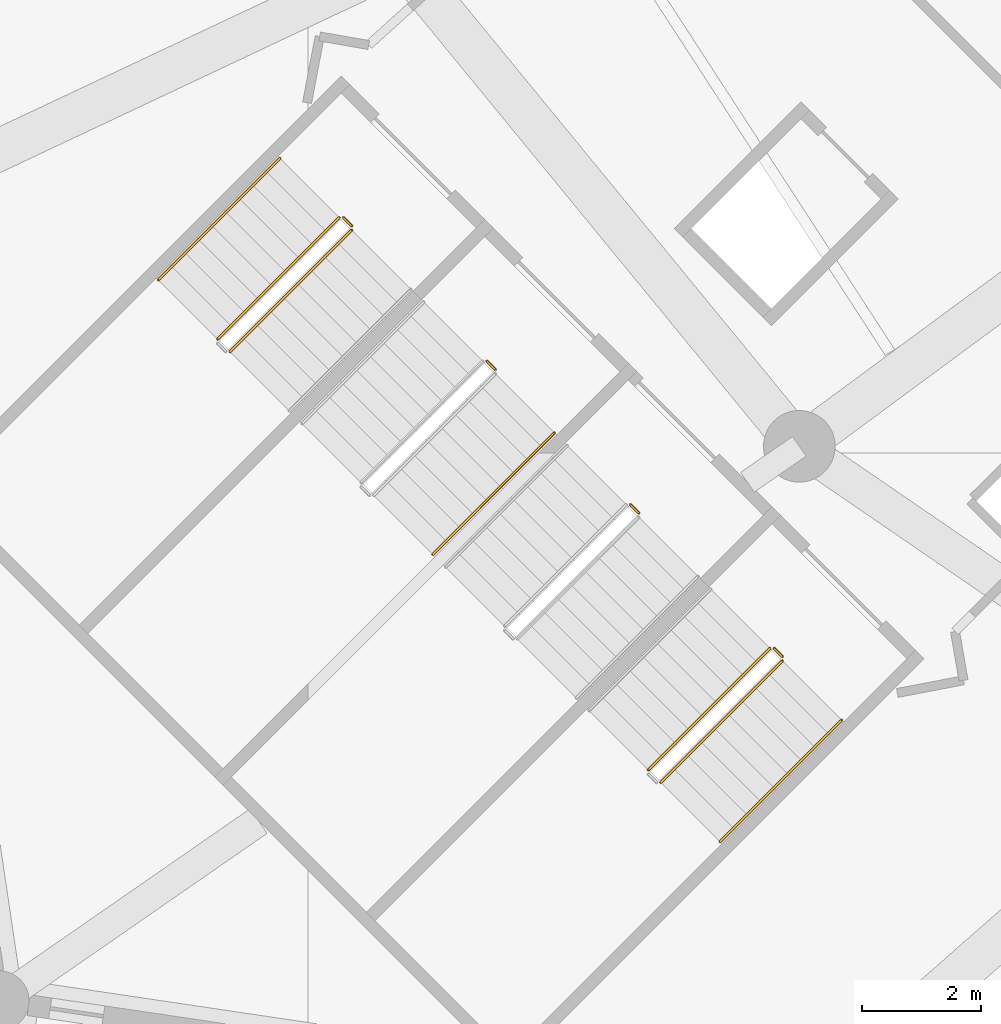
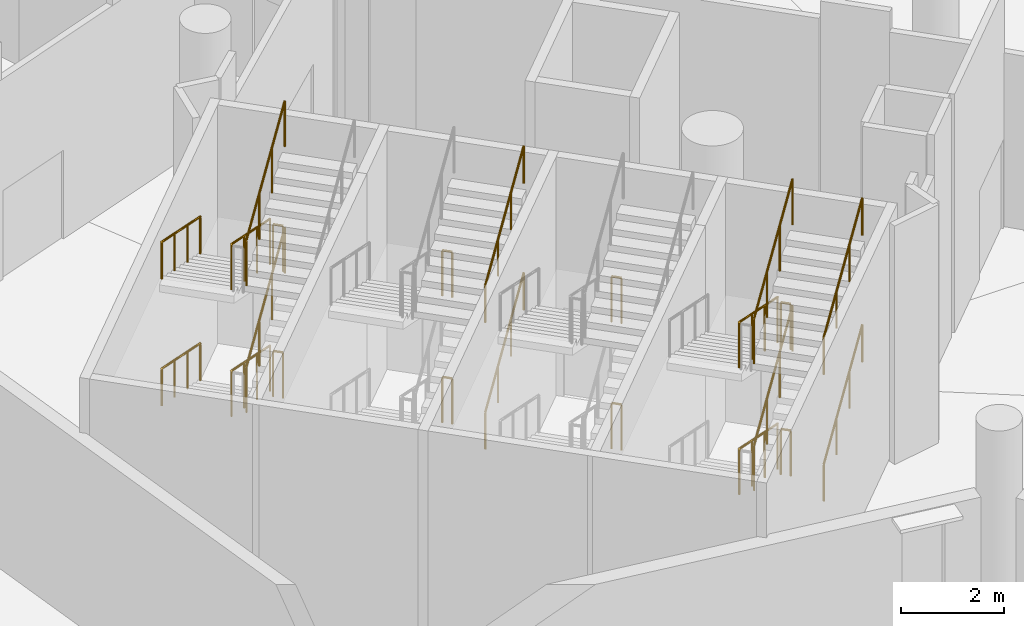
# One storey, part 203 of 249: 22 railings.
"""IFC4 building model written with IfcOpenShell, lengths in metres."""

from ifc_helpers import new_model, si_unit, direction, frame, origin, origin_2d, place, context, subcontext, project, spatial, circle, extrude, material, type_object, element, save


model = new_model("IFC4")

# Units and contexts
model_context = context("Model", 3, precision=1e-05, world=origin(), true_north=direction((0.0, 1.0)))
body_context = subcontext(model_context, "Body", "Model", "MODEL_VIEW")
ifc_project = project(units=[si_unit("LENGTHUNIT", "METRE"), si_unit("AREAUNIT", "SQUARE_METRE"), si_unit("VOLUMEUNIT", "CUBIC_METRE"), si_unit("PLANEANGLEUNIT", "RADIAN"), si_unit("MASSUNIT", "GRAM", prefix="KILO")], contexts=[model_context])

# Site, building, storey
site_placement = place(None, origin())
site = spatial("IfcSite", under=ifc_project, at=site_placement, CompositionType="ELEMENT")
building_placement = place(site_placement, origin())
building = spatial("IfcBuilding", under=site, at=building_placement, Name="Meseta Stadium", CompositionType="ELEMENT")
storey_placement = place(building_placement, frame((0.0, 0.0, 12.0)))
storey = spatial("IfcBuildingStorey", under=building, at=storey_placement, Name="L02", CompositionType="ELEMENT", Elevation=12.0)

# Railings
ifc_material_1 = material(Name="Steel S355", Category="steel")
railing_type_1 = type_object("IfcRailingType", Name="Stair guard 1100", PredefinedType="GUARDRAIL", material=ifc_material_1)
railing_1_placement = place(storey_placement, frame((-79.4814453125, -76.056884765625, 0.14990234375)))
element("IfcRailing", 1, at=railing_1_placement, inside=storey, type_object=railing_type_1, Name="ST81 L02 guard 1", PredefinedType="GUARDRAIL", context=body_context, shape_type="SweptSolid", body=[
    extrude(circle(Radius=0.02392578125, at=origin_2d()), frame((0.0, 0.0, 1.076171875), z_axis=(-0.640287970486, -0.640211215754, 0.424453665402), x_axis=(0.707064395047, -0.707149164786, 0.0)), (0.0, 0.0, 1.0), 3.180908203125),
    extrude(circle(Radius=0.02099609375, at=origin_2d()), origin(), (0.0, 0.0, 1.0), 1.052001953125),
    extrude(circle(Radius=0.02099609375, at=origin_2d()), frame((-0.678955078125, -0.6787109375, 0.449951171875)), (0.0, 0.0, 1.0), 1.052001953125),
    extrude(circle(Radius=0.02099609375, at=origin_2d()), frame((-1.357666015625, -1.357666015625, 0.900146484375)), (0.0, 0.0, 1.0), 1.052001953125),
    extrude(circle(Radius=0.02099609375, at=origin_2d()), frame((-2.03662109375, -2.036376953125, 1.35009765625)), (0.0, 0.0, 1.0), 1.052001953125),
])
railing_2_placement = place(storey_placement, frame((-81.305908203125, -78.305419921875, 1.64990234375)))
element("IfcRailing", 2, at=railing_2_placement, inside=storey, type_object=railing_type_1, Name="ST81 L02 guard 3", PredefinedType="GUARDRAIL", context=body_context, shape_type="SweptSolid", body=[
    extrude(circle(Radius=0.02392578125, at=origin_2d()), frame((0.0, 0.0, 1.076171875), z_axis=(0.640287970486, 0.640211215754, 0.424453665402), x_axis=(-0.707064395047, 0.707149164786, 0.0)), (0.0, 0.0, 1.0), 3.180908203125),
    extrude(circle(Radius=0.02099609375, at=origin_2d()), origin(), (0.0, 0.0, 1.0), 1.052001953125),
    extrude(circle(Radius=0.02099609375, at=origin_2d()), frame((0.678955078125, 0.6787109375, 0.449951171875)), (0.0, 0.0, 1.0), 1.052001953125),
    extrude(circle(Radius=0.02099609375, at=origin_2d()), frame((1.357666015625, 1.357666015625, 0.900146484375)), (0.0, 0.0, 1.0), 1.052001953125),
    extrude(circle(Radius=0.02099609375, at=origin_2d()), frame((2.03662109375, 2.036376953125, 1.35009765625)), (0.0, 0.0, 1.0), 1.052001953125),
])
railing_3_placement = place(storey_placement, frame((-79.410888671875, -76.056884765625, 3.0)))
element("IfcRailing", 3, at=railing_3_placement, inside=storey, type_object=railing_type_1, Name="ST81 L02 guard 4", PredefinedType="GUARDRAIL", context=body_context, shape_type="SweptSolid", body=[
    extrude(circle(Radius=0.02392578125, at=origin_2d()), frame((0.0, 0.0, 1.076171875), z_axis=(0.707716618519, -0.706496417452, 0.0), x_axis=(0.706496417452, 0.707716618519, 0.0)), (0.0, 0.0, 1.0), 0.2001953125),
    extrude(circle(Radius=0.02099609375, at=origin_2d()), origin(), (0.0, 0.0, 1.0), 1.052001953125),
    extrude(circle(Radius=0.02099609375, at=origin_2d()), frame((0.1416015625, -0.141357421875, 0.0)), (0.0, 0.0, 1.0), 1.052001953125),
])
railing_4_placement = place(storey_placement, frame((-79.4814453125, -76.056884765625, 3.14990234375)))
element("IfcRailing", 4, at=railing_4_placement, inside=storey, type_object=railing_type_1, Name="ST81 L02 guard 5", PredefinedType="GUARDRAIL", context=body_context, shape_type="SweptSolid", body=[
    extrude(circle(Radius=0.02392578125, at=origin_2d()), frame((0.0, 0.0, 1.076171875), z_axis=(-0.640287970486, -0.640211215754, 0.424453665402), x_axis=(0.707064395047, -0.707149164786, 0.0)), (0.0, 0.0, 1.0), 3.180908203125),
    extrude(circle(Radius=0.02099609375, at=origin_2d()), origin(), (0.0, 0.0, 1.0), 1.052001953125),
    extrude(circle(Radius=0.02099609375, at=origin_2d()), frame((-0.678955078125, -0.6787109375, 0.449951171875)), (0.0, 0.0, 1.0), 1.052001953125),
    extrude(circle(Radius=0.02099609375, at=origin_2d()), frame((-1.357666015625, -1.357666015625, 0.900146484375)), (0.0, 0.0, 1.0), 1.052001953125),
    extrude(circle(Radius=0.02099609375, at=origin_2d()), frame((-2.03662109375, -2.036376953125, 1.35009765625)), (0.0, 0.0, 1.0), 1.052001953125),
])
railing_5_placement = place(storey_placement, frame((-81.305908203125, -78.305419921875, 4.64990234375)))
element("IfcRailing", 5, at=railing_5_placement, inside=storey, type_object=railing_type_1, Name="ST81 L02 guard 7", PredefinedType="GUARDRAIL", context=body_context, shape_type="SweptSolid", body=[
    extrude(circle(Radius=0.02392578125, at=origin_2d()), frame((0.0, 0.0, 1.076171875), z_axis=(0.640287970486, 0.640211215754, 0.424453665402), x_axis=(-0.707064395047, 0.707149164786, 0.0)), (0.0, 0.0, 1.0), 3.180908203125),
    extrude(circle(Radius=0.02099609375, at=origin_2d()), origin(), (0.0, 0.0, 1.0), 1.052001953125),
    extrude(circle(Radius=0.02099609375, at=origin_2d()), frame((0.678955078125, 0.6787109375, 0.449951171875)), (0.0, 0.0, 1.0), 1.052001953125),
    extrude(circle(Radius=0.02099609375, at=origin_2d()), frame((1.357666015625, 1.357666015625, 0.900146484375)), (0.0, 0.0, 1.0), 1.052001953125),
    extrude(circle(Radius=0.02099609375, at=origin_2d()), frame((2.03662109375, 2.036376953125, 1.35009765625)), (0.0, 0.0, 1.0), 1.052001953125),
])
railing_6_placement = place(storey_placement, frame((-79.410888671875, -76.056884765625, 0.0)))
element("IfcRailing", 6, at=railing_6_placement, inside=storey, type_object=railing_type_1, Name="ST81 L02 guard 8", PredefinedType="GUARDRAIL", context=body_context, shape_type="SweptSolid", body=[
    extrude(circle(Radius=0.02392578125, at=origin_2d()), frame((0.0, 0.0, 1.076171875), z_axis=(0.707716618519, -0.706496417452, 0.0), x_axis=(0.706496417452, 0.707716618519, 0.0)), (0.0, 0.0, 1.0), 0.2001953125),
    extrude(circle(Radius=0.02099609375, at=origin_2d()), origin(), (0.0, 0.0, 1.0), 1.052001953125),
    extrude(circle(Radius=0.02099609375, at=origin_2d()), frame((0.1416015625, -0.141357421875, 0.0)), (0.0, 0.0, 1.0), 1.052001953125),
])
for number, where, name in (
    (7, (-77.006591796875, -78.4609375, 3.0), "ST82 L02 guard 4"),
    (8, (-77.006591796875, -78.4609375, 0.0), "ST82 L02 guard 8"),
):
    element("IfcRailing", number, at=place(storey_placement, frame(where)), inside=storey, type_object=railing_type_1, Name=name, PredefinedType="GUARDRAIL", context=body_context, shape_type="SweptSolid", body=[
        extrude(circle(Radius=0.02392578125, at=origin_2d()), frame((0.0, 0.0, 1.076171875), z_axis=(0.706496417452, -0.707716618519, 0.0), x_axis=(0.707716618519, 0.706496417452, 0.0)), (0.0, 0.0, 1.0), 0.2001953125),
        extrude(circle(Radius=0.02099609375, at=origin_2d()), origin(), (0.0, 0.0, 1.0), 1.052001953125),
        extrude(circle(Radius=0.02099609375, at=origin_2d()), frame((0.141357421875, -0.1416015625, 0.0)), (0.0, 0.0, 1.0), 1.052001953125),
    ])
for number, where, name in (
    (9, (-74.6025390625, -80.865234375, 3.0), "ST83 L02 guard 4"),
    (10, (-74.6025390625, -80.865234375, 0.0), "ST83 L02 guard 8"),
):
    element("IfcRailing", number, at=place(storey_placement, frame(where)), inside=storey, type_object=railing_type_1, Name=name, PredefinedType="GUARDRAIL", context=body_context, shape_type="SweptSolid", body=[
        extrude(circle(Radius=0.02392578125, at=origin_2d()), frame((0.0, 0.0, 1.076171875), z_axis=(0.707716618519, -0.706496417452, 0.0), x_axis=(0.706496417452, 0.707716618519, 0.0)), (0.0, 0.0, 1.0), 0.2001953125),
        extrude(circle(Radius=0.02099609375, at=origin_2d()), origin(), (0.0, 0.0, 1.0), 1.052001953125),
        extrude(circle(Radius=0.02099609375, at=origin_2d()), frame((0.1416015625, -0.141357421875, 0.0)), (0.0, 0.0, 1.0), 1.052001953125),
    ])
railing_7_placement = place(storey_placement, frame((-72.26904296875, -83.269287109375, 0.14990234375)))
element("IfcRailing", 11, at=railing_7_placement, inside=storey, type_object=railing_type_1, Name="ST84 L02 guard 1", PredefinedType="GUARDRAIL", context=body_context, shape_type="SweptSolid", body=[
    extrude(circle(Radius=0.02392578125, at=origin_2d()), frame((0.0, 0.0, 1.076171875), z_axis=(-0.640211215754, -0.640287970486, 0.424453665402), x_axis=(0.707149164786, -0.707064395047, 0.0)), (0.0, 0.0, 1.0), 3.180908203125),
    extrude(circle(Radius=0.02099609375, at=origin_2d()), origin(), (0.0, 0.0, 1.0), 1.052001953125),
    extrude(circle(Radius=0.02099609375, at=origin_2d()), frame((-0.6787109375, -0.678955078125, 0.449951171875)), (0.0, 0.0, 1.0), 1.052001953125),
    extrude(circle(Radius=0.02099609375, at=origin_2d()), frame((-1.357666015625, -1.357666015625, 0.900146484375)), (0.0, 0.0, 1.0), 1.052001953125),
    extrude(circle(Radius=0.02099609375, at=origin_2d()), frame((-2.036376953125, -2.03662109375, 1.35009765625)), (0.0, 0.0, 1.0), 1.052001953125),
])
railing_8_placement = place(storey_placement, frame((-74.09326171875, -85.51806640625, 1.64990234375)))
element("IfcRailing", 12, at=railing_8_placement, inside=storey, type_object=railing_type_1, Name="ST84 L02 guard 3", PredefinedType="GUARDRAIL", context=body_context, shape_type="SweptSolid", body=[
    extrude(circle(Radius=0.02392578125, at=origin_2d()), frame((0.0, 0.0, 1.076171875), z_axis=(0.640211215754, 0.640287970486, 0.424453665402), x_axis=(-0.707149164786, 0.707064395047, 0.0)), (0.0, 0.0, 1.0), 3.180908203125),
    extrude(circle(Radius=0.02099609375, at=origin_2d()), origin(), (0.0, 0.0, 1.0), 1.052001953125),
    extrude(circle(Radius=0.02099609375, at=origin_2d()), frame((0.6787109375, 0.678955078125, 0.449951171875)), (0.0, 0.0, 1.0), 1.052001953125),
    extrude(circle(Radius=0.02099609375, at=origin_2d()), frame((1.357666015625, 1.357666015625, 0.900146484375)), (0.0, 0.0, 1.0), 1.052001953125),
    extrude(circle(Radius=0.02099609375, at=origin_2d()), frame((2.036376953125, 2.03662109375, 1.35009765625)), (0.0, 0.0, 1.0), 1.052001953125),
])
railing_9_placement = place(storey_placement, frame((-72.1982421875, -83.269287109375, 3.0)))
element("IfcRailing", 13, at=railing_9_placement, inside=storey, type_object=railing_type_1, Name="ST84 L02 guard 4", PredefinedType="GUARDRAIL", context=body_context, shape_type="SweptSolid", body=[
    extrude(circle(Radius=0.02392578125, at=origin_2d()), frame((0.0, 0.0, 1.076171875), z_axis=(0.706496417452, -0.707716618519, 0.0), x_axis=(0.707716618519, 0.706496417452, 0.0)), (0.0, 0.0, 1.0), 0.2001953125),
    extrude(circle(Radius=0.02099609375, at=origin_2d()), origin(), (0.0, 0.0, 1.0), 1.052001953125),
    extrude(circle(Radius=0.02099609375, at=origin_2d()), frame((0.141357421875, -0.1416015625, 0.0)), (0.0, 0.0, 1.0), 1.052001953125),
])
railing_10_placement = place(storey_placement, frame((-72.26904296875, -83.269287109375, 3.14990234375)))
element("IfcRailing", 14, at=railing_10_placement, inside=storey, type_object=railing_type_1, Name="ST84 L02 guard 5", PredefinedType="GUARDRAIL", context=body_context, shape_type="SweptSolid", body=[
    extrude(circle(Radius=0.02392578125, at=origin_2d()), frame((0.0, 0.0, 1.076171875), z_axis=(-0.640211215754, -0.640287970486, 0.424453665402), x_axis=(0.707149164786, -0.707064395047, 0.0)), (0.0, 0.0, 1.0), 3.180908203125),
    extrude(circle(Radius=0.02099609375, at=origin_2d()), origin(), (0.0, 0.0, 1.0), 1.052001953125),
    extrude(circle(Radius=0.02099609375, at=origin_2d()), frame((-0.6787109375, -0.678955078125, 0.449951171875)), (0.0, 0.0, 1.0), 1.052001953125),
    extrude(circle(Radius=0.02099609375, at=origin_2d()), frame((-1.357666015625, -1.357666015625, 0.900146484375)), (0.0, 0.0, 1.0), 1.052001953125),
    extrude(circle(Radius=0.02099609375, at=origin_2d()), frame((-2.036376953125, -2.03662109375, 1.35009765625)), (0.0, 0.0, 1.0), 1.052001953125),
])
railing_11_placement = place(storey_placement, frame((-74.09326171875, -85.51806640625, 4.64990234375)))
element("IfcRailing", 15, at=railing_11_placement, inside=storey, type_object=railing_type_1, Name="ST84 L02 guard 7", PredefinedType="GUARDRAIL", context=body_context, shape_type="SweptSolid", body=[
    extrude(circle(Radius=0.02392578125, at=origin_2d()), frame((0.0, 0.0, 1.076171875), z_axis=(0.640211215754, 0.640287970486, 0.424453665402), x_axis=(-0.707149164786, 0.707064395047, 0.0)), (0.0, 0.0, 1.0), 3.180908203125),
    extrude(circle(Radius=0.02099609375, at=origin_2d()), origin(), (0.0, 0.0, 1.0), 1.052001953125),
    extrude(circle(Radius=0.02099609375, at=origin_2d()), frame((0.6787109375, 0.678955078125, 0.449951171875)), (0.0, 0.0, 1.0), 1.052001953125),
    extrude(circle(Radius=0.02099609375, at=origin_2d()), frame((1.357666015625, 1.357666015625, 0.900146484375)), (0.0, 0.0, 1.0), 1.052001953125),
    extrude(circle(Radius=0.02099609375, at=origin_2d()), frame((2.036376953125, 2.03662109375, 1.35009765625)), (0.0, 0.0, 1.0), 1.052001953125),
])
railing_12_placement = place(storey_placement, frame((-72.1982421875, -83.269287109375, 0.0)))
element("IfcRailing", 16, at=railing_12_placement, inside=storey, type_object=railing_type_1, Name="ST84 L02 guard 8", PredefinedType="GUARDRAIL", context=body_context, shape_type="SweptSolid", body=[
    extrude(circle(Radius=0.02392578125, at=origin_2d()), frame((0.0, 0.0, 1.076171875), z_axis=(0.706496417452, -0.707716618519, 0.0), x_axis=(0.707716618519, 0.706496417452, 0.0)), (0.0, 0.0, 1.0), 0.2001953125),
    extrude(circle(Radius=0.02099609375, at=origin_2d()), origin(), (0.0, 0.0, 1.0), 1.052001953125),
    extrude(circle(Radius=0.02099609375, at=origin_2d()), frame((0.141357421875, -0.1416015625, 0.0)), (0.0, 0.0, 1.0), 1.052001953125),
])
ifc_material_2 = material(Name="Steel S355", Category="steel")
railing_type_2 = type_object("IfcRailingType", Name="Stair handrail 900", PredefinedType="HANDRAIL", material=ifc_material_2)
for number, where, name in (
    (17, (-80.471435546875, -75.06689453125, 0.14990234375), "ST81 L02 handrail 1"),
    (18, (-80.471435546875, -75.06689453125, 3.14990234375), "ST81 L02 handrail 3"),
):
    element("IfcRailing", number, at=place(storey_placement, frame(where)), inside=storey, type_object=railing_type_2, Name=name, PredefinedType="HANDRAIL", context=body_context, shape_type="SweptSolid", body=[
        extrude(circle(Radius=0.02392578125, at=origin_2d()), frame((0.0, 0.0, 0.8759765625), z_axis=(-0.640211215754, -0.640287970486, 0.424453665402), x_axis=(0.707149164786, -0.707064395047, 0.0)), (0.0, 0.0, 1.0), 3.180908203125),
        extrude(circle(Radius=0.02099609375, at=origin_2d()), origin(), (0.0, 0.0, 1.0), 0.851806640625),
        extrude(circle(Radius=0.02099609375, at=origin_2d()), frame((-0.6787109375, -0.678955078125, 0.449951171875)), (0.0, 0.0, 1.0), 0.851806640625),
        extrude(circle(Radius=0.02099609375, at=origin_2d()), frame((-1.357666015625, -1.357666015625, 0.900146484375)), (0.0, 0.0, 1.0), 0.851806640625),
        extrude(circle(Radius=0.02099609375, at=origin_2d()), frame((-2.036376953125, -2.03662109375, 1.35009765625)), (0.0, 0.0, 1.0), 0.851806640625),
    ])
for number, where, name in (
    (19, (-77.91162109375, -81.69970703125, 1.64990234375), "ST82 L02 handrail 2"),
    (20, (-77.91162109375, -81.69970703125, 4.64990234375), "ST82 L02 handrail 4"),
):
    element("IfcRailing", number, at=place(storey_placement, frame(where)), inside=storey, type_object=railing_type_2, Name=name, PredefinedType="HANDRAIL", context=body_context, shape_type="SweptSolid", body=[
        extrude(circle(Radius=0.02392578125, at=origin_2d()), frame((0.0, 0.0, 0.8759765625), z_axis=(0.640211215754, 0.640287970486, 0.424453665402), x_axis=(-0.707149164786, 0.707064395047, 0.0)), (0.0, 0.0, 1.0), 3.180908203125),
        extrude(circle(Radius=0.02099609375, at=origin_2d()), origin(), (0.0, 0.0, 1.0), 0.851806640625),
        extrude(circle(Radius=0.02099609375, at=origin_2d()), frame((0.6787109375, 0.678955078125, 0.449951171875)), (0.0, 0.0, 1.0), 0.851806640625),
        extrude(circle(Radius=0.02099609375, at=origin_2d()), frame((1.357666015625, 1.357666015625, 0.900146484375)), (0.0, 0.0, 1.0), 0.851806640625),
        extrude(circle(Radius=0.02099609375, at=origin_2d()), frame((2.036376953125, 2.03662109375, 1.35009765625)), (0.0, 0.0, 1.0), 0.851806640625),
    ])
for number, where, name in (
    (21, (-73.103515625, -86.5078125, 1.64990234375), "ST84 L02 handrail 2"),
    (22, (-73.103515625, -86.5078125, 4.64990234375), "ST84 L02 handrail 4"),
):
    element("IfcRailing", number, at=place(storey_placement, frame(where)), inside=storey, type_object=railing_type_2, Name=name, PredefinedType="HANDRAIL", context=body_context, shape_type="SweptSolid", body=[
        extrude(circle(Radius=0.02392578125, at=origin_2d()), frame((0.0, 0.0, 0.8759765625), z_axis=(0.640287970486, 0.640211215754, 0.424453665402), x_axis=(-0.707064395047, 0.707149164786, 0.0)), (0.0, 0.0, 1.0), 3.180908203125),
        extrude(circle(Radius=0.02099609375, at=origin_2d()), origin(), (0.0, 0.0, 1.0), 0.851806640625),
        extrude(circle(Radius=0.02099609375, at=origin_2d()), frame((0.678955078125, 0.6787109375, 0.449951171875)), (0.0, 0.0, 1.0), 0.851806640625),
        extrude(circle(Radius=0.02099609375, at=origin_2d()), frame((1.357666015625, 1.357666015625, 0.900146484375)), (0.0, 0.0, 1.0), 0.851806640625),
        extrude(circle(Radius=0.02099609375, at=origin_2d()), frame((2.03662109375, 2.036376953125, 1.35009765625)), (0.0, 0.0, 1.0), 0.851806640625),
    ])

save(model, "model.ifc")
